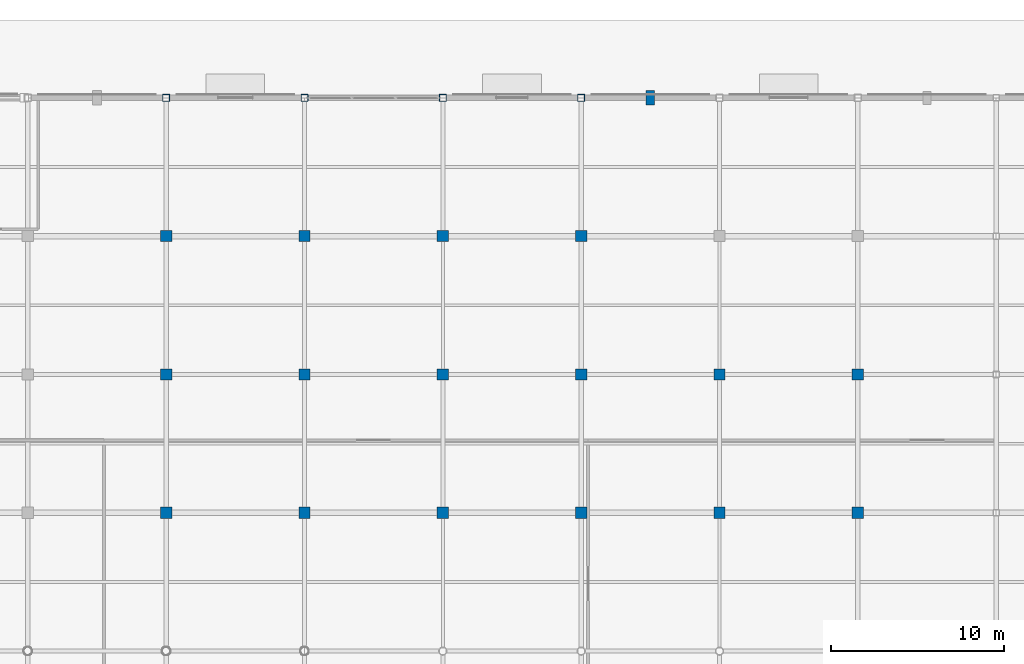
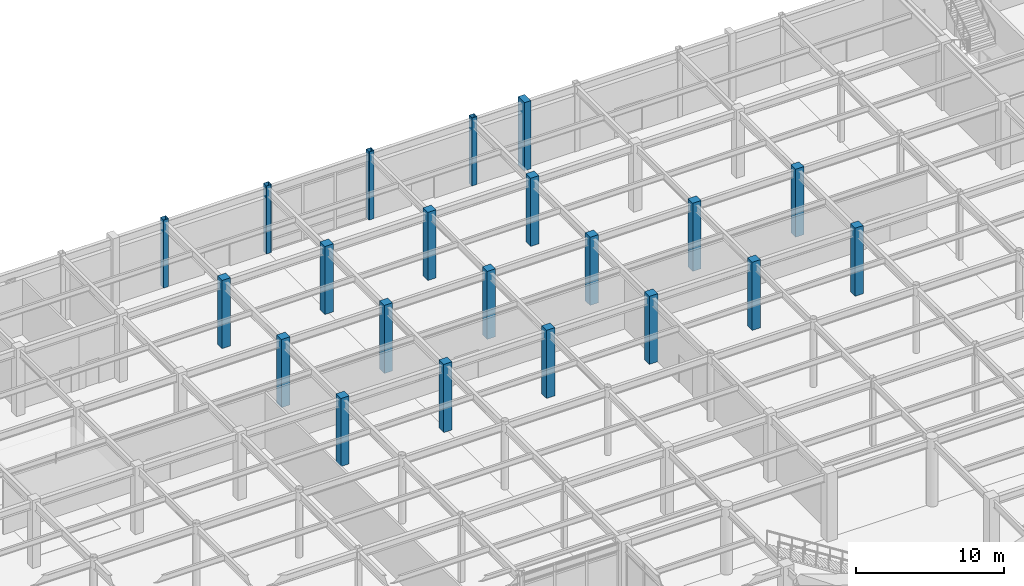
# One storey, part 21 of 128: 21 columns.
"""IFC4 building model written with IfcOpenShell, lengths in metres."""

import ifcopenshell
import ifcopenshell.guid

model = None  # the IFC model being written
_history = None  # IfcOwnerHistory: only IFC2X3 demands one
_inside = {}  # id of a spatial element -> (the spatial element, [elements in it])
_under = {}  # id of a project, library or spatial element -> (it, [spatial elements below it])
_declared = {}  # id of a project -> (the project, [libraries it declares])
_typed = {}  # id of a type object -> (the type object, [elements of that type])
_made_of = {}  # id of a material, layer set ... -> (it, [elements and type objects made of it])


def new_model(schema):
    """Start an empty IFC model of exactly this schema.

    Asked for "IFC4X3", IfcOpenShell would pick the latest addendum, in which some entities
    have other attributes; the version numbers below select the first issue.
    IFC2X3 requires an IfcOwnerHistory on every rooted entity: one is made here for all.
    """
    global model, _history
    if schema == "IFC4X3":
        model = ifcopenshell.file(schema_version=(4, 3, 0, 0))
    else:
        model = ifcopenshell.file(schema=schema)
    _inside.clear()
    _under.clear()
    _declared.clear()
    _typed.clear()
    _made_of.clear()
    _history = None
    if model.schema == "IFC2X3":
        org = make("IfcOrganization", Name="unknown")
        user = make(
            "IfcPersonAndOrganization",
            ThePerson=make("IfcPerson", FamilyName="unknown"),
            TheOrganization=org,
        )
        app = make(
            "IfcApplication",
            ApplicationDeveloper=org,
            Version="unknown",
            ApplicationFullName="unknown",
            ApplicationIdentifier="unknown",
        )
        _history = make(
            "IfcOwnerHistory",
            OwningUser=user,
            OwningApplication=app,
            ChangeAction="ADDED",
            CreationDate=0,
        )
    return model


def make(cls, **values):
    """One entity of the class cls with the attributes given. An attribute that is None is left unset."""
    return model.create_entity(
        cls, **{name: value for name, value in values.items() if value is not None}
    )


def rooted(cls, **values):
    """An entity with a GlobalId (a new one), such as an element, a storey or a relation."""
    return make(cls, GlobalId=ifcopenshell.guid.new(), OwnerHistory=_history, **values)


def si_unit(unit_type, name, prefix=None):
    """IfcSIUnit, for example si_unit("LENGTHUNIT", "METRE", prefix="MILLI")."""
    return make("IfcSIUnit", UnitType=unit_type, Prefix=prefix, Name=name)


def assignment(units):
    """IfcUnitAssignment: the units of a project."""
    return None if units is None else make("IfcUnitAssignment", Units=units)


def point(xyz):
    """IfcCartesianPoint."""
    return None if xyz is None else make("IfcCartesianPoint", Coordinates=xyz)


def direction(xyz):
    """IfcDirection."""
    return None if xyz is None else make("IfcDirection", DirectionRatios=xyz)


def frame(location, z_axis=None, x_axis=None):
    """IfcAxis2Placement3D, a coordinate frame: its origin and axes. An axis left out is left unset."""
    return make(
        "IfcAxis2Placement3D",
        Location=point(location),
        Axis=direction(z_axis),
        RefDirection=direction(x_axis),
    )


def frame_2d(location, x_axis=None):
    """IfcAxis2Placement2D, a coordinate frame in the plane: its origin and x axis."""
    return make(
        "IfcAxis2Placement2D", Location=point(location), RefDirection=direction(x_axis)
    )


def origin():
    """The frame at (0, 0, 0) with its axes left unset."""
    return frame((0.0, 0.0, 0.0))


def origin_2d():
    """The frame at (0, 0) in the plane with its x axis left unset."""
    return frame_2d((0.0, 0.0))


def place(relative_to, where):
    """IfcLocalPlacement: puts the frame where relative to a parent placement (None: the world)."""
    return make(
        "IfcLocalPlacement", PlacementRelTo=relative_to, RelativePlacement=where
    )


def context(
    kind, dimensions, precision=None, world=None, true_north=None, identifier=None
):
    """IfcGeometricRepresentationContext, for example the 3D "Model" context."""
    return make(
        "IfcGeometricRepresentationContext",
        ContextIdentifier=identifier,
        ContextType=kind,
        CoordinateSpaceDimension=dimensions,
        Precision=precision,
        WorldCoordinateSystem=world,
        TrueNorth=true_north,
    )


def subcontext(parent, identifier, kind, view, scale=None):
    """IfcGeometricRepresentationSubContext, for example "Body" below "Model"."""
    return make(
        "IfcGeometricRepresentationSubContext",
        ContextIdentifier=identifier,
        ContextType=kind,
        ParentContext=parent,
        TargetScale=scale,
        TargetView=view,
    )


def project(units=None, contexts=None):
    """IfcProject with its units and contexts."""
    return rooted(
        "IfcProject",
        Name="project",
        RepresentationContexts=contexts,
        UnitsInContext=assignment(units),
    )


def spatial(cls, under=None, at=None, **own):
    """A site, building, storey or space (cls), placed at a placement, below another one or the project."""
    s = rooted(cls, ObjectPlacement=at, **own)
    if under is not None:
        _under.setdefault(under.id(), (under, []))[1].append(s)
    return s


def profile(cls, at=None, kind="AREA", **sizes):
    """A parametric profile (cls). Its sizes go by their IFC names, for example OverallWidth=200.0."""
    return make(cls, ProfileType=kind, Position=at, **sizes)


def rectangle(**sizes):
    """IfcRectangleProfileDef."""
    return profile("IfcRectangleProfileDef", **sizes)


def hollow_rectangle(**sizes):
    """IfcRectangleHollowProfileDef."""
    return profile("IfcRectangleHollowProfileDef", **sizes)


def extrude(swept, where, along, depth):
    """IfcExtrudedAreaSolid: the profile swept, set in the frame where, extruded along a direction by depth."""
    return make(
        "IfcExtrudedAreaSolid",
        SweptArea=swept,
        Position=where,
        ExtrudedDirection=direction(along),
        Depth=depth,
    )


def shape(context_of_items, identifier, shape_type, items):
    """IfcShapeRepresentation: the items that make up one representation, for example the "Body"."""
    return make(
        "IfcShapeRepresentation",
        ContextOfItems=context_of_items,
        RepresentationIdentifier=identifier,
        RepresentationType=shape_type,
        Items=items,
    )


def material(Name=None, Category=None):
    """IfcMaterial."""
    return make("IfcMaterial", Name=Name, Category=Category)


def material_profile(
    of_material, cross_section, Name=None, Category=None, Priority=None
):
    """IfcMaterialProfile: a cross section and its material."""
    return make(
        "IfcMaterialProfile",
        Name=Name,
        Material=of_material,
        Profile=cross_section,
        Priority=Priority,
        Category=Category,
    )


def profile_set(profiles, Name=None, composite=None):
    """IfcMaterialProfileSet."""
    return make(
        "IfcMaterialProfileSet",
        Name=Name,
        MaterialProfiles=profiles,
        CompositeProfile=composite,
    )


def made_of(thing, what):
    """Note that an element or type object is made of a material, layer set ...; save() writes the relation."""
    if what is not None:
        _made_of.setdefault(what.id(), (what, []))[1].append(thing)
    return thing


def type_object(cls, material=None, **own):
    """A type object (cls), such as IfcWallType, which elements share."""
    return made_of(rooted(cls, **own), material)


def element(
    cls,
    number,
    at=None,
    inside=None,
    cuts=None,
    type_object=None,
    material=None,
    context=None,
    identifier="Body",
    shape_type=None,
    held_by="IfcProductDefinitionShape",
    body=None,
    shapes=None,
    **own,
):
    """One element of the class cls, such as IfcWall. Its Tag is "e" and its number.

    at: its placement. inside: the storey or other place that contains it. cuts: it is an
    opening in that element (IfcRelVoidsElement). A single representation is given by context,
    identifier, shape_type and body (its items); several are given by shapes. held_by: the class
    of the entity that holds the representations. save() writes the other relations.
    """
    e = rooted(cls, Tag="e%d" % number, ObjectPlacement=at, **own)
    if body is not None:
        shapes = [shape(context, identifier, shape_type, body)]
    if shapes is not None:
        e.Representation = make(held_by, Representations=shapes)
    if inside is not None:
        _inside.setdefault(inside.id(), (inside, []))[1].append(e)
    if cuts is not None:
        rooted(
            "IfcRelVoidsElement", RelatingBuildingElement=cuts, RelatedOpeningElement=e
        )
    if type_object is not None:
        _typed.setdefault(type_object.id(), (type_object, []))[1].append(e)
    return made_of(e, material)


def aggregate(whole, parts):
    """IfcRelAggregates: a whole, such as a stair, and the parts it consists of."""
    return rooted("IfcRelAggregates", RelatingObject=whole, RelatedObjects=parts)


def save(model, path):
    """Write the relations noted so far, then the file.

    IfcRelAggregates (storeys below a building ...), IfcRelContainedInSpatialStructure (elements
    in a storey), IfcRelDefinesByType, IfcRelAssociatesMaterial and IfcRelDeclares: one each for
    every whole, place, type object, material and project.
    """
    for whole, parts in _under.values():
        aggregate(whole, parts)
    for where, things in _inside.values():
        rooted(
            "IfcRelContainedInSpatialStructure",
            RelatedElements=things,
            RelatingStructure=where,
        )
    for kind, things in _typed.values():
        rooted("IfcRelDefinesByType", RelatedObjects=things, RelatingType=kind)
    for what, things in _made_of.values():
        rooted("IfcRelAssociatesMaterial", RelatedObjects=things, RelatingMaterial=what)
    for by, libraries in _declared.values():
        rooted("IfcRelDeclares", RelatingContext=by, RelatedDefinitions=libraries)
    model.write(path)


model = new_model("IFC4")

# Units and contexts
model_context = context("Model", 3, precision=1e-05, world=origin(), true_north=direction((0.0, 1.0)))
body_context = subcontext(model_context, "Body", "Model", "MODEL_VIEW")
ifc_project = project(units=[si_unit("LENGTHUNIT", "METRE"), si_unit("AREAUNIT", "SQUARE_METRE"), si_unit("VOLUMEUNIT", "CUBIC_METRE"), si_unit("PLANEANGLEUNIT", "RADIAN"), si_unit("MASSUNIT", "GRAM", prefix="KILO")], contexts=[model_context])

# Site, building, storey
site_placement = place(None, origin())
site = spatial("IfcSite", under=ifc_project, at=site_placement, CompositionType="ELEMENT")
building_placement = place(site_placement, origin())
building = spatial("IfcBuilding", under=site, at=building_placement, Name="Solmirada Galleria", CompositionType="ELEMENT")
storey_placement = place(building_placement, origin())
storey = spatial("IfcBuildingStorey", under=building, at=storey_placement, Name="L00", CompositionType="ELEMENT", Elevation=0.0)

# Columns
ifc_material_1 = material(Name="Steel S355 / ASTM A500 Grade C", Category="steel")
ifc_material_profile_1 = material_profile(ifc_material_1, hollow_rectangle(XDim=0.406005859375, YDim=0.406005859375, WallThickness=0.0146484375, InnerFilletRadius=0.0146484375, OuterFilletRadius=0.029296875, at=origin_2d()), Name="HSS16X16X5/8")
ifc_profile_set_1 = profile_set([ifc_material_profile_1], Name="Steel S355 / ASTM A500 Grade C")
column_type_1 = type_object("IfcColumnType", Name="COL-HSS16", PredefinedType="COLUMN", material=ifc_profile_set_1)
for number, where, z_axis, x_axis, name in (
    (1, (72.0, 120.0, 0.0), (0.0, 0.0, 1.0), (1.0, 0.0, 0.0), "Structural column L00-0339"),
    (2, (80.0, 120.0, 0.0), (0.0, 0.0, 1.0), (1.0, 0.0, 0.0), "Structural column L00-0456"),
    (3, (88.0, 120.0, 0.0), (0.0, 0.0, 1.0), (1.0, 0.0, 0.0), "Structural column L00-0578"),
    (4, (96.0, 120.0, 0.0), (0.0, 0.0, 1.0), (1.0, 0.0, 0.0), "Structural column L00-0686"),
):
    element("IfcColumn", number, at=place(storey_placement, frame(where, z_axis=z_axis, x_axis=x_axis)), inside=storey, type_object=column_type_1, Name=name, PredefinedType="COLUMN", context=body_context, shape_type="SweptSolid", body=[
        extrude(hollow_rectangle(XDim=0.406005859375, YDim=0.406005859375, WallThickness=0.0146484375, InnerFilletRadius=0.0146484375, OuterFilletRadius=0.029296875, at=origin_2d()), origin(), (0.0, 0.0, 1.0), 5.60009765625),
    ])
ifc_material_2 = material(Name="Concrete C40/50", Category="concrete")
ifc_material_profile_2 = material_profile(ifc_material_2, rectangle(XDim=0.64990234375, YDim=0.64990234375, at=origin_2d()), Name="RC650X650")
ifc_profile_set_2 = profile_set([ifc_material_profile_2], Name="Concrete C40/50")
column_type_2 = type_object("IfcColumnType", Name="COL-RC650", PredefinedType="COLUMN", material=ifc_profile_set_2)
for number, where, z_axis, x_axis, name in (
    (5, (72.0, 96.0, 0.0), (0.0, 0.0, 1.0), (1.0, 0.0, 0.0), "Structural column L00-0318"),
    (6, (72.0, 104.0, 0.0), (0.0, 0.0, 1.0), (1.0, 0.0, 0.0), "Structural column L00-0325"),
    (7, (72.0, 112.0, 0.0), (0.0, 0.0, 1.0), (1.0, 0.0, 0.0), "Structural column L00-0332"),
    (8, (80.0, 96.0, 0.0), (0.0, 0.0, 1.0), (1.0, 0.0, 0.0), "Structural column L00-0435"),
    (9, (80.0, 104.0, 0.0), (0.0, 0.0, 1.0), (1.0, 0.0, 0.0), "Structural column L00-0442"),
    (10, (80.0, 112.0, 0.0), (0.0, 0.0, 1.0), (1.0, 0.0, 0.0), "Structural column L00-0449"),
    (11, (88.0, 96.0, 0.0), (0.0, 0.0, 1.0), (1.0, 0.0, 0.0), "Structural column L00-0557"),
    (12, (88.0, 104.0, 0.0), (0.0, 0.0, 1.0), (1.0, 0.0, 0.0), "Structural column L00-0564"),
    (13, (88.0, 112.0, 0.0), (0.0, 0.0, 1.0), (1.0, 0.0, 0.0), "Structural column L00-0571"),
    (14, (96.0, 96.0, 0.0), (0.0, 0.0, 1.0), (1.0, 0.0, 0.0), "Structural column L00-0665"),
    (15, (96.0, 104.0, 0.0), (0.0, 0.0, 1.0), (1.0, 0.0, 0.0), "Structural column L00-0672"),
    (16, (96.0, 112.0, 0.0), (0.0, 0.0, 1.0), (1.0, 0.0, 0.0), "Structural column L00-0679"),
    (17, (104.0, 96.0, 0.0), (0.0, 0.0, 1.0), (1.0, 0.0, 0.0), "Structural column L00-0776"),
    (18, (104.0, 104.0, 0.0), (0.0, 0.0, 1.0), (1.0, 0.0, 0.0), "Structural column L00-0783"),
    (19, (112.0, 96.0, 0.0), (0.0, 0.0, 1.0), (1.0, 0.0, 0.0), "Structural column L00-0893"),
    (20, (112.0, 104.0, 0.0), (0.0, 0.0, 1.0), (1.0, 0.0, 0.0), "Structural column L00-0900"),
):
    element("IfcColumn", number, at=place(storey_placement, frame(where, z_axis=z_axis, x_axis=x_axis)), inside=storey, type_object=column_type_2, Name=name, PredefinedType="COLUMN", context=body_context, shape_type="SweptSolid", body=[
        extrude(rectangle(XDim=0.64990234375, YDim=0.64990234375, at=origin_2d()), origin(), (0.0, 0.0, 1.0), 5.60009765625),
    ])
ifc_material_3 = material(Name="Precast concrete C40/50", Category="concrete")
ifc_material_profile_3 = material_profile(ifc_material_3, rectangle(XDim=0.5, YDim=0.85009765625, at=origin_2d()), Name="RC850X500")
ifc_profile_set_3 = profile_set([ifc_material_profile_3], Name="Precast concrete C40/50")
column_type_3 = type_object("IfcColumnType", Name="PIL-RC850", PredefinedType="PILASTER", material=ifc_profile_set_3)
column_placement = place(storey_placement, frame((100.0, 120.0, 0.0), z_axis=(0.0, 0.0, 1.0), x_axis=(1.0, 0.0, 0.0)))
element("IfcColumn", 21, at=column_placement, inside=storey, type_object=column_type_3, Name="Avenue pilaster L00-010", PredefinedType="PILASTER", context=body_context, shape_type="SweptSolid", body=[
    extrude(rectangle(XDim=0.5, YDim=0.85009765625, at=origin_2d()), origin(), (0.0, 0.0, 1.0), 5.60009765625),
])

save(model, "model.ifc")
